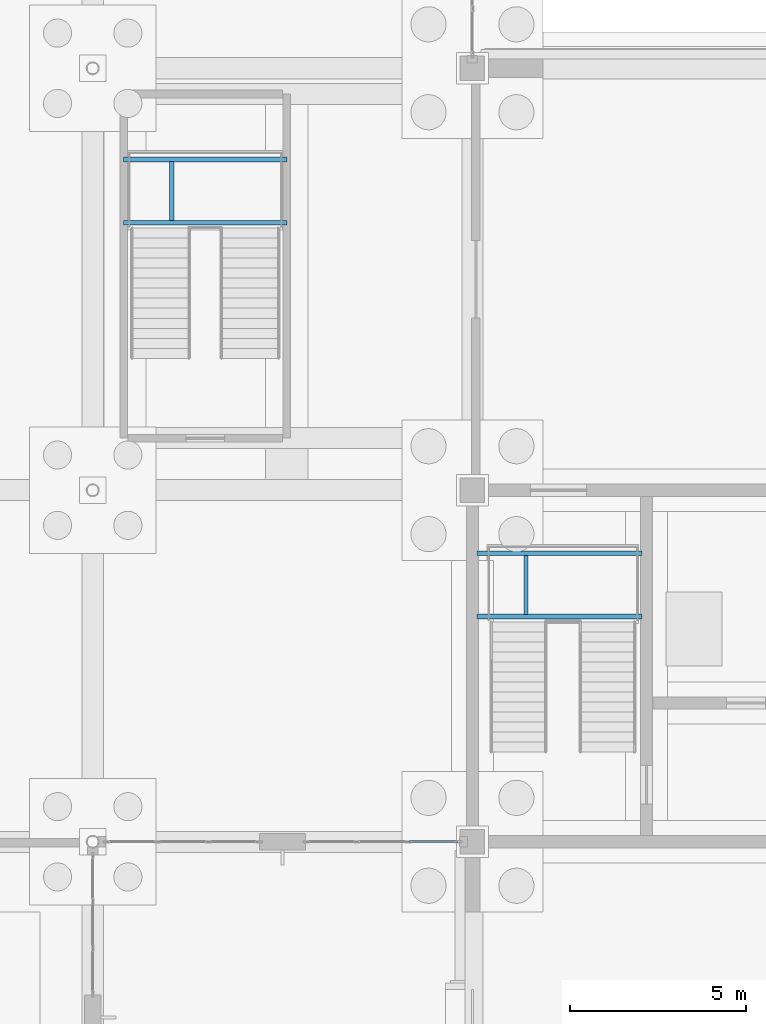
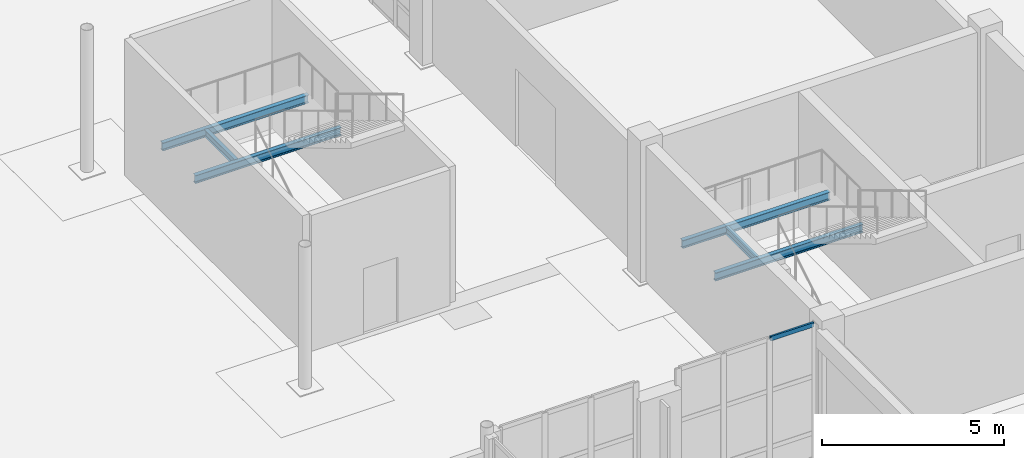
# One storey, part 34 of 73: 6 beams, 1 member, 1 element without a shape of its own.
"""IFC4 building model written with IfcOpenShell, lengths in metres."""

from ifc_helpers import new_model, si_unit, direction, frame, origin, origin_2d, place, context, subcontext, project, spatial, hollow_rectangle, i_section, extrude, material, layer, layer_set, material_profile, profile_set, type_object, element, aggregate, save


model = new_model("IFC4")

# Units and contexts
model_context = context("Model", 3, precision=1e-05, world=origin(), true_north=direction((0.0, 1.0)))
body_context = subcontext(model_context, "Body", "Model", "MODEL_VIEW")
ifc_project = project(units=[si_unit("LENGTHUNIT", "METRE"), si_unit("AREAUNIT", "SQUARE_METRE"), si_unit("VOLUMEUNIT", "CUBIC_METRE"), si_unit("PLANEANGLEUNIT", "RADIAN"), si_unit("MASSUNIT", "GRAM", prefix="KILO")], contexts=[model_context])

# Site, building, storey
site_placement = place(None, origin())
site = spatial("IfcSite", under=ifc_project, at=site_placement, CompositionType="ELEMENT")
building_placement = place(site_placement, origin())
building = spatial("IfcBuilding", under=site, at=building_placement, Name="Tasgan Crest Museum", CompositionType="ELEMENT")
storey_placement = place(building_placement, origin())
storey = spatial("IfcBuildingStorey", under=building, at=storey_placement, Name="L00", CompositionType="ELEMENT", Elevation=0.0)

# Beams
ifc_material_1 = material(Name="Steel S355J2", Category="steel")
ifc_material_profile_1 = material_profile(ifc_material_1, i_section(OverallWidth=0.1201171875, OverallDepth=0.239990234375, WebThickness=0.006103515625, FlangeThickness=0.009765625, FilletRadius=0.014892578125, at=origin_2d()), Name="IPE 240")
ifc_profile_set_1 = profile_set([ifc_material_profile_1], Name="Steel S355J2")
beam_type_1 = type_object("IfcBeamType", Name="BM-LAND-IPE240", PredefinedType="BEAM", material=ifc_profile_set_1)
for number, where, z_axis, x_axis, name in (
    (1, (109.52490234375, 46.465087890625, 2.080078125), (0.0, 1.0, 0.0), (-1.0, 0.0, 0.0), "Stair half-landing crossbeam ST-SE-L00 T1"),
    (2, (99.449951171875, 57.6650390625, 2.080078125), (0.0, 1.0, 0.0), (-1.0, 0.0, 0.0), "Stair half-landing crossbeam ST-AT-L00 T1"),
):
    element("IfcBeam", number, at=place(storey_placement, frame(where, z_axis=z_axis, x_axis=x_axis)), inside=storey, type_object=beam_type_1, Name=name, PredefinedType="BEAM", context=body_context, shape_type="SweptSolid", body=[
        extrude(i_section(OverallWidth=0.1201171875, OverallDepth=0.239990234375, WebThickness=0.006103515625, FlangeThickness=0.009765625, FilletRadius=0.014892578125, at=origin_2d()), origin(), (0.0, 0.0, 1.0), 1.679931640625),
    ])
ifc_material_2 = material(Name="Steel S355J2", Category="steel")
ifc_material_profile_2 = material_profile(ifc_material_2, i_section(OverallWidth=0.135009765625, OverallDepth=0.27001953125, WebThickness=0.006591796875, FlangeThickness=0.01025390625, FilletRadius=0.014892578125, at=origin_2d()), Name="IPE 270")
ifc_profile_set_2 = profile_set([ifc_material_profile_2], Name="Steel S355J2")
beam_type_2 = type_object("IfcBeamType", Name="BM-LAND-IPE270", PredefinedType="BEAM", material=ifc_profile_set_2)
for number, where, z_axis, x_axis, name in (
    (3, (108.1298828125, 46.405029296875, 2.06494140625), (1.0, 0.0, 0.0), (0.0, 1.0, 0.0), "Stair half-landing beam ST-SE-L00 T1F"),
    (4, (108.1298828125, 48.205078125, 2.06494140625), (1.0, 0.0, 0.0), (0.0, 1.0, 0.0), "Stair half-landing beam ST-SE-L00 T1B"),
):
    element("IfcBeam", number, at=place(storey_placement, frame(where, z_axis=z_axis, x_axis=x_axis)), inside=storey, type_object=beam_type_2, Name=name, PredefinedType="BEAM", context=body_context, shape_type="SweptSolid", body=[
        extrude(i_section(OverallWidth=0.135009765625, OverallDepth=0.27001953125, WebThickness=0.006591796875, FlangeThickness=0.01025390625, FilletRadius=0.014892578125, at=origin_2d()), origin(), (0.0, 0.0, 1.0), 4.690185546875),
    ])
for number, where, z_axis, x_axis, name in (
    (5, (98.080078125, 57.60498046875, 2.06494140625), (1.0, 0.0, 0.0), (0.0, 1.0, 0.0), "Stair half-landing beam ST-AT-L00 T1F"),
    (6, (98.080078125, 59.405029296875, 2.06494140625), (1.0, 0.0, 0.0), (0.0, 1.0, 0.0), "Stair half-landing beam ST-AT-L00 T1B"),
):
    element("IfcBeam", number, at=place(storey_placement, frame(where, z_axis=z_axis, x_axis=x_axis)), inside=storey, type_object=beam_type_2, Name=name, PredefinedType="BEAM", context=body_context, shape_type="SweptSolid", body=[
        extrude(i_section(OverallWidth=0.135009765625, OverallDepth=0.27001953125, WebThickness=0.006591796875, FlangeThickness=0.01025390625, FilletRadius=0.014892578125, at=origin_2d()), origin(), (0.0, 0.0, 1.0), 4.639892578125),
    ])

# Curtain wall, member
ifc_material_3 = material(Name="Triple-Glazed Aluminium Curtain Wall", Category="aluminium")
ifc_layer = layer(ifc_material_3, 0.179931640625, Name="CW-DRUM-X-48")
ifc_layer_set = layer_set([ifc_layer], Name="Triple-Glazed Aluminium Curtain Wall")
curtain_wall_type = type_object("IfcCurtainWallType", Name="CW-DRUM-X-48", PredefinedType="NOTDEFINED", material=ifc_layer_set)
curtain_wall_placement = place(storey_placement, origin())
curtain_wall = element("IfcCurtainWall", 7, at=curtain_wall_placement, inside=storey, type_object=curtain_wall_type, Name="Curtain wall L00 012", PredefinedType="NOTDEFINED")
ifc_material_4 = material(Name="Anodised Aluminium", Category="aluminium")
ifc_material_profile_3 = material_profile(ifc_material_4, hollow_rectangle(XDim=0.06005859375, YDim=0.14990234375, WallThickness=0.0048828125, at=origin_2d()), Name="ALU TRANSOM 150x60x5")
ifc_profile_set_3 = profile_set([ifc_material_profile_3], Name="Anodised Aluminium")
member_type = type_object("IfcMemberType", Name="CW-TRANSOM-150", PredefinedType="USERDEFINED", material=ifc_profile_set_3)
member_placement = place(storey_placement, frame((106.20166015625, 40.0, 4.530029296875), z_axis=(1.0, 0.0, 0.0), x_axis=(0.0, 1.0, 0.0)))
member = element("IfcMember", 8, at=member_placement, type_object=member_type, Name="CW03 transom 3.4", ObjectType="TRANSOM", PredefinedType="USERDEFINED", context=body_context, shape_type="SweptSolid", body=[
    extrude(hollow_rectangle(XDim=0.06005859375, YDim=0.14990234375, WallThickness=0.0048828125, at=origin_2d()), origin(), (0.0, 0.0, 1.0), 1.373291015625),
])
aggregate(curtain_wall, [member])

save(model, "model.ifc")
